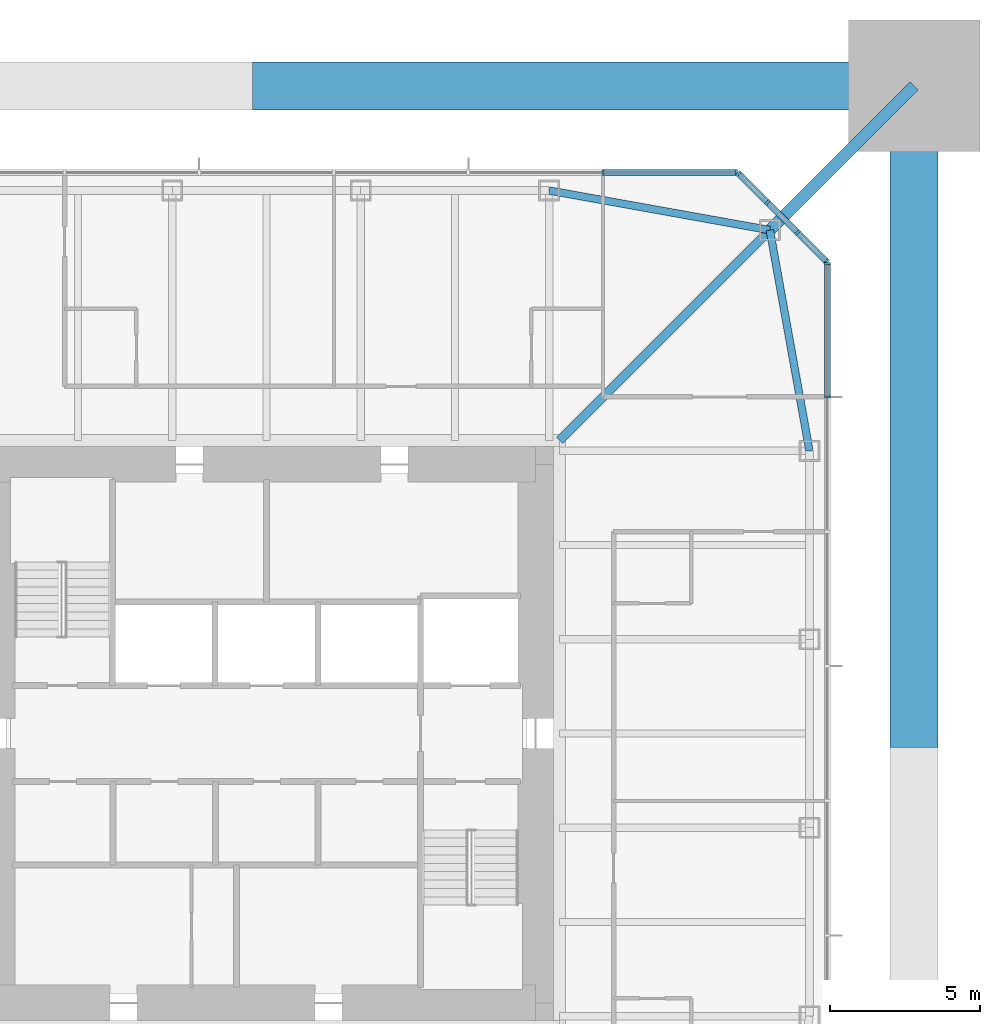
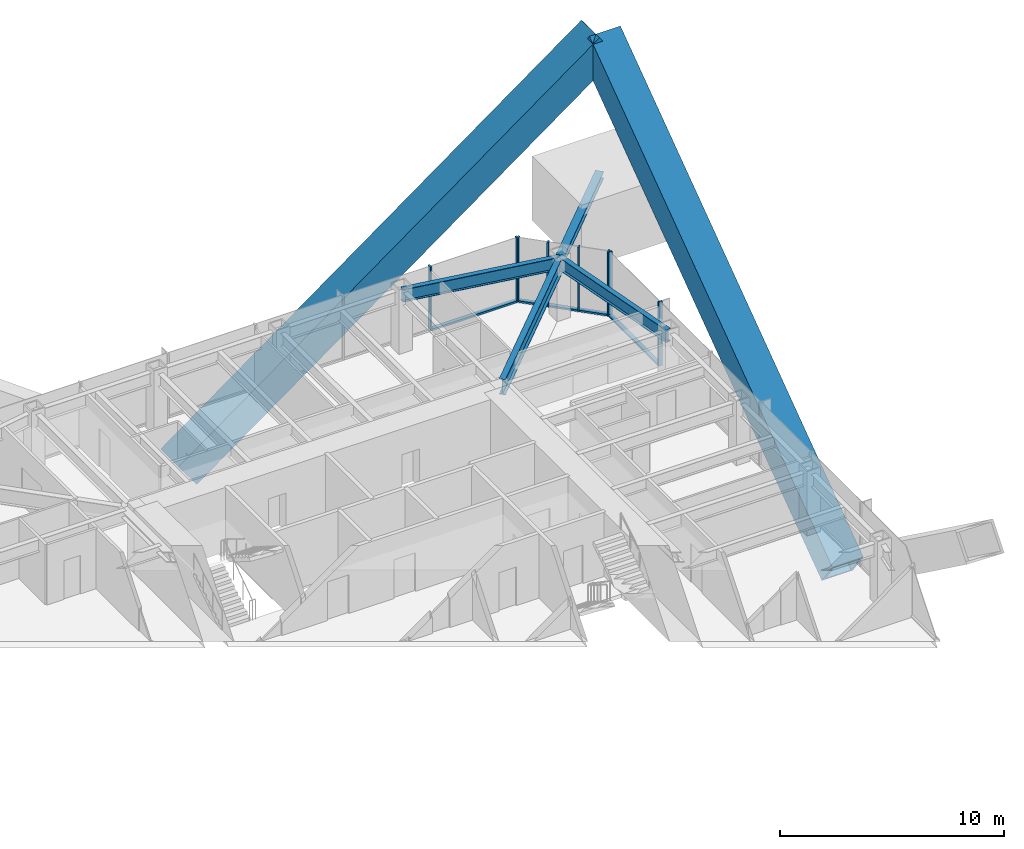
# One storey, part 6 of 13: 16 members, 3 beams, 3 elements without a shape of their own.
"""IFC4 building model written with IfcOpenShell, lengths in metres."""

from ifc_helpers import new_model, si_unit, direction, frame, origin, origin_2d, place, context, subcontext, project, spatial, rectangle, hollow_rectangle, i_section, extrude, material, material_profile, profile_set, type_object, element, aggregate, save


model = new_model("IFC4")

# Units and contexts
model_context = context("Model", 3, precision=1e-05, world=origin(), true_north=direction((0.0, 1.0)))
body_context = subcontext(model_context, "Body", "Model", "MODEL_VIEW")
ifc_project = project(units=[si_unit("LENGTHUNIT", "METRE"), si_unit("AREAUNIT", "SQUARE_METRE"), si_unit("VOLUMEUNIT", "CUBIC_METRE"), si_unit("PLANEANGLEUNIT", "RADIAN"), si_unit("MASSUNIT", "GRAM", prefix="KILO")], contexts=[model_context])

# Site, building, storey
site_placement = place(None, origin())
site = spatial("IfcSite", under=ifc_project, at=site_placement, CompositionType="ELEMENT")
building_placement = place(site_placement, origin())
building = spatial("IfcBuilding", under=site, at=building_placement, Name="Iwan Alto Co-Living Towers", CompositionType="ELEMENT")
storey_placement = place(building_placement, frame((0.0, 0.0, 198.5)))
storey = spatial("IfcBuildingStorey", under=building, at=storey_placement, Name="L54", CompositionType="ELEMENT", Elevation=198.5)

# Curtain wall, members
ifc_material_1 = material(Name="Bronze aluminium unitised frame", Category="aluminium")
curtain_wall_type_1 = type_object("IfcCurtainWallType", Name="CURTAIN WALL CW-A", PredefinedType="NOTDEFINED", material=ifc_material_1)
curtain_wall_1_placement = place(storey_placement, origin())
curtain_wall_1 = element("IfcCurtainWall", 1, at=curtain_wall_1_placement, inside=storey, type_object=curtain_wall_type_1, Name="T1 curtain wall E L54", PredefinedType="NOTDEFINED")
ifc_material_2 = material(Name="Aluminium 6063-T6 bronze anodised", Category="aluminium")
ifc_material_profile_1 = material_profile(ifc_material_2, rectangle(XDim=0.199951171875, YDim=0.080078125, at=origin_2d()), Name="AL 80X200")
ifc_profile_set_1 = profile_set([ifc_material_profile_1], Name="Aluminium 6063-T6 bronze anodised")
member_type_1 = type_object("IfcMemberType", Name="CW-A MULLION 80X200", PredefinedType="MULLION", material=ifc_profile_set_1)
member_1_placement = place(storey_placement, frame((18.75, 11.25, 0.0), z_axis=(0.0, 0.0, 1.0), x_axis=(-1.0, 0.0, 0.0)))
member_1 = element("IfcMember", 2, at=member_1_placement, type_object=member_type_1, Name="CW-A mullion 7", PredefinedType="MULLION", context=body_context, shape_type="SweptSolid", body=[
    extrude(rectangle(XDim=0.199951171875, YDim=0.080078125, at=origin_2d()), origin(), (0.0, 0.0, 1.0), 3.5),
])
member_2_placement = place(storey_placement, frame((18.75, 15.7099609375, 0.0), z_axis=(0.0, 0.0, 1.0), x_axis=(-1.0, 0.0, 0.0)))
member_2 = element("IfcMember", 3, at=member_2_placement, type_object=member_type_1, Name="CW-A mullion 8", PredefinedType="MULLION", context=body_context, shape_type="SweptSolid", body=[
    extrude(rectangle(XDim=0.199951171875, YDim=0.080078125, at=origin_2d()), origin(), (0.0, 0.0, 1.0), 3.5),
])

curtain_wall_2_placement = place(storey_placement, origin())
curtain_wall_2 = element("IfcCurtainWall", 4, at=curtain_wall_2_placement, inside=storey, type_object=curtain_wall_type_1, Name="T1 curtain wall N L54", PredefinedType="NOTDEFINED")
member_3_placement = place(storey_placement, frame((15.7099609375, 18.75, 0.0), z_axis=(0.0, 0.0, 1.0), x_axis=(0.0, -1.0, 0.0)))
member_3 = element("IfcMember", 5, at=member_3_placement, type_object=member_type_1, Name="CW-A mullion 1", PredefinedType="MULLION", context=body_context, shape_type="SweptSolid", body=[
    extrude(rectangle(XDim=0.199951171875, YDim=0.080078125, at=origin_2d()), origin(), (0.0, 0.0, 1.0), 3.5),
])
member_4_placement = place(storey_placement, frame((11.25, 18.75, 0.0), z_axis=(0.0, 0.0, 1.0), x_axis=(0.0, -1.0, 0.0)))
member_4 = element("IfcMember", 6, at=member_4_placement, type_object=member_type_1, Name="CW-A mullion 2", PredefinedType="MULLION", context=body_context, shape_type="SweptSolid", body=[
    extrude(rectangle(XDim=0.199951171875, YDim=0.080078125, at=origin_2d()), origin(), (0.0, 0.0, 1.0), 3.5),
])

# Member
ifc_material_3 = material(Name="Aluminium 6063-T6 bronze anodised", Category="aluminium")
ifc_material_profile_2 = material_profile(ifc_material_3, rectangle(XDim=0.199951171875, YDim=0.10009765625, at=origin_2d()), Name="AL 200X100")
ifc_profile_set_2 = profile_set([ifc_material_profile_2], Name="Aluminium 6063-T6 bronze anodised")
member_type_2 = type_object("IfcMemberType", Name="CW-A TRANSOM 200X100", PredefinedType="USERDEFINED", material=ifc_profile_set_2)
member_5_placement = place(storey_placement, frame((18.75, 11.2900390625, 0.050048828125), z_axis=(0.0, 1.0, 0.0), x_axis=(-1.0, 0.0, 0.0)))
member_5 = element("IfcMember", 7, at=member_5_placement, type_object=member_type_2, Name="CW-A transom 7.1", ObjectType="TRANSOM", PredefinedType="USERDEFINED", context=body_context, shape_type="SweptSolid", body=[
    extrude(rectangle(XDim=0.199951171875, YDim=0.10009765625, at=origin_2d()), origin(), (0.0, 0.0, 1.0), 4.3798828125),
])

aggregate(curtain_wall_1, [member_1, member_2, member_5])

member_6_placement = place(storey_placement, frame((15.669921875, 18.75, 0.050048828125), z_axis=(-1.0, 0.0, 0.0), x_axis=(0.0, -1.0, 0.0)))
member_6 = element("IfcMember", 8, at=member_6_placement, type_object=member_type_2, Name="CW-A transom 1.1", ObjectType="TRANSOM", PredefinedType="USERDEFINED", context=body_context, shape_type="SweptSolid", body=[
    extrude(rectangle(XDim=0.199951171875, YDim=0.10009765625, at=origin_2d()), origin(), (0.0, 0.0, 1.0), 4.3798828125),
])

aggregate(curtain_wall_2, [member_3, member_4, member_6])

# Curtain wall, members
ifc_material_4 = material(Name="Bronze aluminium unitised frame", Category="aluminium")
curtain_wall_type_2 = type_object("IfcCurtainWallType", Name="CURTAIN WALL CW-B", PredefinedType="NOTDEFINED", material=ifc_material_4)
curtain_wall_3_placement = place(storey_placement, origin())
curtain_wall_3 = element("IfcCurtainWall", 9, at=curtain_wall_3_placement, inside=storey, type_object=curtain_wall_type_2, Name="T1 chamfer curtain wall NE L54", PredefinedType="NOTDEFINED")
ifc_material_5 = material(Name="Aluminium 6063-T6 bronze anodised", Category="aluminium")
ifc_material_profile_3 = material_profile(ifc_material_5, rectangle(XDim=0.199951171875, YDim=0.080078125, at=origin_2d()), Name="AL 80X200")
ifc_profile_set_3 = profile_set([ifc_material_profile_3], Name="Aluminium 6063-T6 bronze anodised")
member_type_3 = type_object("IfcMemberType", Name="CW-B MULLION 80X200", PredefinedType="MULLION", material=ifc_profile_set_3)
member_7_placement = place(storey_placement, frame((18.7216796875, 15.7783203125, 0.0), z_axis=(0.0, 0.0, 1.0), x_axis=(-0.707106781187, -0.707106781187, 0.0)))
member_7 = element("IfcMember", 10, at=member_7_placement, type_object=member_type_3, Name="CW-B mullion 1", PredefinedType="MULLION", context=body_context, shape_type="SweptSolid", body=[
    extrude(rectangle(XDim=0.199951171875, YDim=0.080078125, at=origin_2d()), origin(), (0.0, 0.0, 1.0), 3.5),
])
member_8_placement = place(storey_placement, frame((17.75, 16.75, 0.0), z_axis=(0.0, 0.0, 1.0), x_axis=(-0.707106781187, -0.707106781187, 0.0)))
member_8 = element("IfcMember", 11, at=member_8_placement, type_object=member_type_3, Name="CW-B mullion 2", PredefinedType="MULLION", context=body_context, shape_type="SweptSolid", body=[
    extrude(rectangle(XDim=0.199951171875, YDim=0.080078125, at=origin_2d()), origin(), (0.0, 0.0, 1.0), 3.5),
])
member_9_placement = place(storey_placement, frame((16.75, 17.75, 0.0), z_axis=(0.0, 0.0, 1.0), x_axis=(-0.707106781187, -0.707106781187, 0.0)))
member_9 = element("IfcMember", 12, at=member_9_placement, type_object=member_type_3, Name="CW-B mullion 3", PredefinedType="MULLION", context=body_context, shape_type="SweptSolid", body=[
    extrude(rectangle(XDim=0.199951171875, YDim=0.080078125, at=origin_2d()), origin(), (0.0, 0.0, 1.0), 3.5),
])
member_10_placement = place(storey_placement, frame((15.7783203125, 18.7216796875, 0.0), z_axis=(0.0, 0.0, 1.0), x_axis=(-0.707106781187, -0.707106781187, 0.0)))
member_10 = element("IfcMember", 13, at=member_10_placement, type_object=member_type_3, Name="CW-B mullion 4", PredefinedType="MULLION", context=body_context, shape_type="SweptSolid", body=[
    extrude(rectangle(XDim=0.199951171875, YDim=0.080078125, at=origin_2d()), origin(), (0.0, 0.0, 1.0), 3.5),
])
ifc_material_6 = material(Name="Aluminium 6063-T6 bronze anodised", Category="aluminium")
ifc_material_profile_4 = material_profile(ifc_material_6, rectangle(XDim=0.199951171875, YDim=0.10009765625, at=origin_2d()), Name="AL 200X100")
ifc_profile_set_4 = profile_set([ifc_material_profile_4], Name="Aluminium 6063-T6 bronze anodised")
member_type_4 = type_object("IfcMemberType", Name="CW-B TRANSOM 200X100", PredefinedType="USERDEFINED", material=ifc_profile_set_4)
member_11_placement = place(storey_placement, frame((18.693359375, 15.806640625, 0.050048828125), z_axis=(-0.707106781187, 0.707106781187, 0.0), x_axis=(-0.707106781187, -0.707106781187, 0.0)))
member_11 = element("IfcMember", 14, at=member_11_placement, type_object=member_type_4, Name="CW-B transom 1.1", ObjectType="TRANSOM", PredefinedType="USERDEFINED", context=body_context, shape_type="SweptSolid", body=[
    extrude(rectangle(XDim=0.199951171875, YDim=0.10009765625, at=origin_2d()), origin(), (0.0, 0.0, 1.0), 1.2939453125),
])
member_12_placement = place(storey_placement, frame((17.7216796875, 16.7783203125, 0.050048828125), z_axis=(-0.707106781187, 0.707106781187, 0.0), x_axis=(-0.707106781187, -0.707106781187, 0.0)))
member_12 = element("IfcMember", 15, at=member_12_placement, type_object=member_type_4, Name="CW-B transom 2.1", ObjectType="TRANSOM", PredefinedType="USERDEFINED", context=body_context, shape_type="SweptSolid", body=[
    extrude(rectangle(XDim=0.199951171875, YDim=0.10009765625, at=origin_2d()), origin(), (0.0, 0.0, 1.0), 1.334228515625),
])
member_13_placement = place(storey_placement, frame((16.7216796875, 17.7783203125, 0.050048828125), z_axis=(-0.707106781187, 0.707106781187, 0.0), x_axis=(-0.707106781187, -0.707106781187, 0.0)))
member_13 = element("IfcMember", 16, at=member_13_placement, type_object=member_type_4, Name="CW-B transom 3.1", ObjectType="TRANSOM", PredefinedType="USERDEFINED", context=body_context, shape_type="SweptSolid", body=[
    extrude(rectangle(XDim=0.199951171875, YDim=0.10009765625, at=origin_2d()), origin(), (0.0, 0.0, 1.0), 1.2939453125),
])
aggregate(curtain_wall_3, [member_7, member_8, member_9, member_10, member_11, member_12, member_13])

# Beams
ifc_material_7 = material(Name="Steel ASTM A992 Gr 50", Category="steel")
ifc_material_profile_5 = material_profile(ifc_material_7, i_section(OverallWidth=0.2919921875, OverallDepth=0.8408203125, WebThickness=0.0146484375, FlangeThickness=0.021728515625, at=origin_2d()), Name="W33X130")
ifc_profile_set_5 = profile_set([ifc_material_profile_5], Name="Steel ASTM A992 Gr 50")
beam_type_1 = type_object("IfcBeamType", Name="T1 CORNER GIRDER W33X130", PredefinedType="BEAM", material=ifc_profile_set_5)
beam_placement = place(storey_placement, frame((16.82568359375, 16.82568359375, 2.849609375), z_axis=(-0.707106781187, -0.707106781187, 0.0), x_axis=(0.707106781187, -0.707106781187, 0.0)))
element("IfcBeam", 17, at=beam_placement, inside=storey, type_object=beam_type_1, Name="T1 corner girder CNE L55", PredefinedType="BEAM", context=body_context, shape_type="SweptSolid", body=[
    extrude(i_section(OverallWidth=0.2919921875, OverallDepth=0.8408203125, WebThickness=0.0146484375, FlangeThickness=0.021728515625, at=origin_2d()), origin(), (0.0, 0.0, 1.0), 9.936767578125),
])
ifc_material_8 = material(Name="Steel ASTM A992 Gr 50", Category="steel")
ifc_material_profile_6 = material_profile(ifc_material_8, i_section(OverallWidth=0.25390625, OverallDepth=0.683349609375, WebThickness=0.012451171875, FlangeThickness=0.018798828125, at=origin_2d()), Name="W27X94")
ifc_profile_set_6 = profile_set([ifc_material_profile_6], Name="Steel ASTM A992 Gr 50")
beam_type_2 = type_object("IfcBeamType", Name="T1 EDGE BEAM W27X94", PredefinedType="BEAM", material=ifc_profile_set_6)
for number, where, z_axis, x_axis, name in (
    (18, (18.14990234375, 9.449951171875, 2.928466796875), (-0.17671181143, 0.98426263553, 0.0), (-0.98426263553, -0.17671181143, 0.0), "T1 edge beam E4 L55"),
    (19, (16.82568359375, 16.82568359375, 2.928466796875), (-0.98426263553, 0.17671181143, 0.0), (-0.17671181143, -0.98426263553, 0.0), "T1 edge beam CNE L55"),
):
    element("IfcBeam", number, at=place(storey_placement, frame(where, z_axis=z_axis, x_axis=x_axis)), inside=storey, type_object=beam_type_2, Name=name, PredefinedType="BEAM", context=body_context, shape_type="SweptSolid", body=[
        extrude(i_section(OverallWidth=0.25390625, OverallDepth=0.683349609375, WebThickness=0.012451171875, FlangeThickness=0.018798828125, at=origin_2d()), origin(), (0.0, 0.0, 1.0), 7.49365234375),
    ])

# Members
ifc_material_9 = material(Name="Steel ASTM A572 Gr 42", Category="steel")
ifc_material_profile_7 = material_profile(ifc_material_9, hollow_rectangle(XDim=1.60009765625, YDim=1.60009765625, WallThickness=0.1201171875, at=origin_2d()), Name="BOX 1600X1600X120")
ifc_profile_set_7 = profile_set([ifc_material_profile_7], Name="Steel ASTM A572 Gr 42")
member_type_5 = type_object("IfcMemberType", Name="T1 MEGA BRACE BOX 1600X1600X120", PredefinedType="BRACE", material=ifc_profile_set_7)
for number, where, z_axis, x_axis, name in (
    (20, (21.64990234375, 0.0, -5.25), (0.0, 0.808654054795, 0.588284471717), (-1.0, 0.0, 0.0), "T1 mega brace Z3B E 1 upper"),
    (21, (0.0, 21.64990234375, -5.25), (0.808654054795, 0.0, 0.588284471717), (0.0, 1.0, 0.0), "T1 mega brace Z3B N 2 upper"),
):
    element("IfcMember", number, at=place(storey_placement, frame(where, z_axis=z_axis, x_axis=x_axis)), inside=storey, type_object=member_type_5, Name=name, PredefinedType="BRACE", context=body_context, shape_type="SweptSolid", body=[
        extrude(hollow_rectangle(XDim=1.60009765625, YDim=1.60009765625, WallThickness=0.1201171875, at=origin_2d()), origin(), (0.0, 0.0, 1.0), 26.772705078125),
    ])
ifc_material_10 = material(Name="Steel ASTM A992 Gr 50", Category="steel")
ifc_material_profile_8 = material_profile(ifc_material_10, i_section(OverallWidth=0.393798828125, OverallDepth=0.3759765625, WebThickness=0.017333984375, FlangeThickness=0.027587890625, at=origin_2d()), Name="W14X145")
ifc_profile_set_8 = profile_set([ifc_material_profile_8], Name="Steel ASTM A992 Gr 50")
member_type_6 = type_object("IfcMemberType", Name="T1 MEGA COLUMN FLOOR TIE W14X145", PredefinedType="STRUT", material=ifc_profile_set_8)
member_14_placement = place(storey_placement, frame((21.64990234375, 21.64990234375, 3.08203125), z_axis=(-0.707106781187, -0.707106781187, 0.0), x_axis=(0.707106781187, -0.707106781187, 0.0)))
element("IfcMember", 22, at=member_14_placement, inside=storey, type_object=member_type_6, Name="T1 mega column floor tie NE L55", PredefinedType="STRUT", context=body_context, shape_type="SweptSolid", body=[
    extrude(i_section(OverallWidth=0.393798828125, OverallDepth=0.3759765625, WebThickness=0.017333984375, FlangeThickness=0.027587890625, at=origin_2d()), origin(), (0.0, 0.0, 1.0), 6.822509765625),
])

save(model, "model.ifc")
